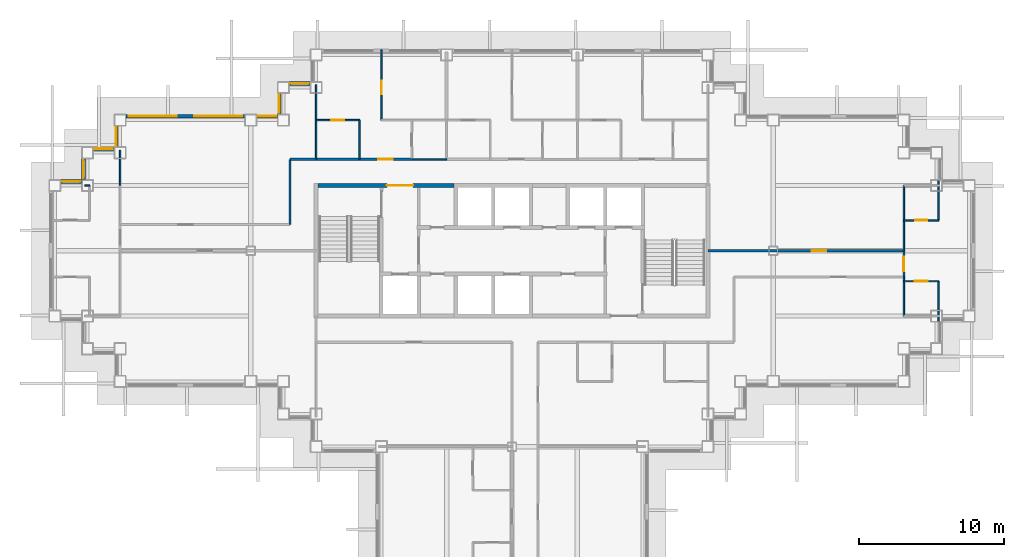
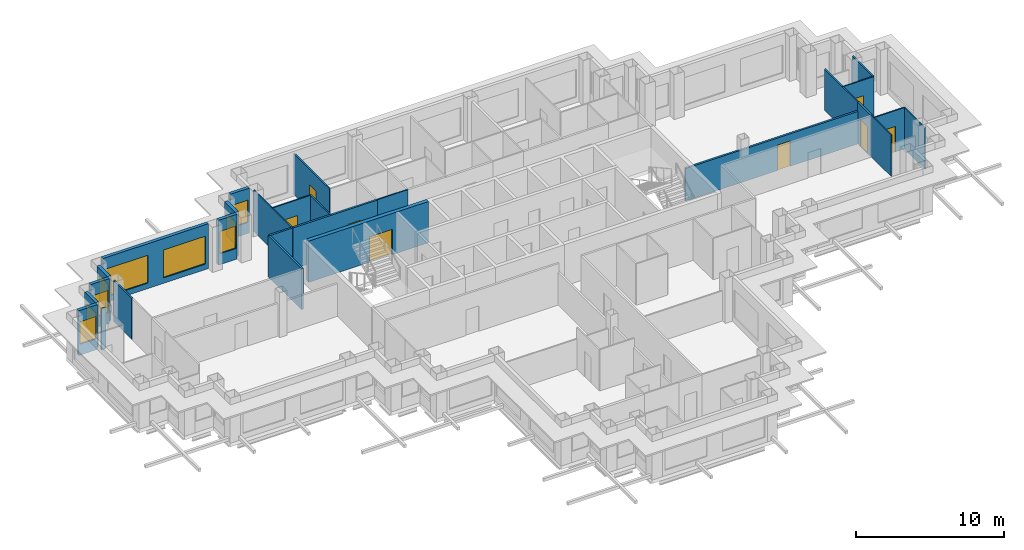
# One storey, part 7 of 14: 27 walls, 9 windows, 8 doors, 17 openings.
"""IFC4 building model written with IfcOpenShell, lengths in metres."""

import ifcopenshell
import ifcopenshell.guid

model = None  # the IFC model being written
_history = None  # IfcOwnerHistory: only IFC2X3 demands one
_inside = {}  # id of a spatial element -> (the spatial element, [elements in it])
_under = {}  # id of a project, library or spatial element -> (it, [spatial elements below it])
_declared = {}  # id of a project -> (the project, [libraries it declares])
_typed = {}  # id of a type object -> (the type object, [elements of that type])
_made_of = {}  # id of a material, layer set ... -> (it, [elements and type objects made of it])


def new_model(schema):
    """Start an empty IFC model of exactly this schema.

    Asked for "IFC4X3", IfcOpenShell would pick the latest addendum, in which some entities
    have other attributes; the version numbers below select the first issue.
    IFC2X3 requires an IfcOwnerHistory on every rooted entity: one is made here for all.
    """
    global model, _history
    if schema == "IFC4X3":
        model = ifcopenshell.file(schema_version=(4, 3, 0, 0))
    else:
        model = ifcopenshell.file(schema=schema)
    _inside.clear()
    _under.clear()
    _declared.clear()
    _typed.clear()
    _made_of.clear()
    _history = None
    if model.schema == "IFC2X3":
        org = make("IfcOrganization", Name="unknown")
        user = make(
            "IfcPersonAndOrganization",
            ThePerson=make("IfcPerson", FamilyName="unknown"),
            TheOrganization=org,
        )
        app = make(
            "IfcApplication",
            ApplicationDeveloper=org,
            Version="unknown",
            ApplicationFullName="unknown",
            ApplicationIdentifier="unknown",
        )
        _history = make(
            "IfcOwnerHistory",
            OwningUser=user,
            OwningApplication=app,
            ChangeAction="ADDED",
            CreationDate=0,
        )
    return model


def make(cls, **values):
    """One entity of the class cls with the attributes given. An attribute that is None is left unset."""
    return model.create_entity(
        cls, **{name: value for name, value in values.items() if value is not None}
    )


def rooted(cls, **values):
    """An entity with a GlobalId (a new one), such as an element, a storey or a relation."""
    return make(cls, GlobalId=ifcopenshell.guid.new(), OwnerHistory=_history, **values)


def si_unit(unit_type, name, prefix=None):
    """IfcSIUnit, for example si_unit("LENGTHUNIT", "METRE", prefix="MILLI")."""
    return make("IfcSIUnit", UnitType=unit_type, Prefix=prefix, Name=name)


def assignment(units):
    """IfcUnitAssignment: the units of a project."""
    return None if units is None else make("IfcUnitAssignment", Units=units)


def point(xyz):
    """IfcCartesianPoint."""
    return None if xyz is None else make("IfcCartesianPoint", Coordinates=xyz)


def direction(xyz):
    """IfcDirection."""
    return None if xyz is None else make("IfcDirection", DirectionRatios=xyz)


def frame(location, z_axis=None, x_axis=None):
    """IfcAxis2Placement3D, a coordinate frame: its origin and axes. An axis left out is left unset."""
    return make(
        "IfcAxis2Placement3D",
        Location=point(location),
        Axis=direction(z_axis),
        RefDirection=direction(x_axis),
    )


def frame_2d(location, x_axis=None):
    """IfcAxis2Placement2D, a coordinate frame in the plane: its origin and x axis."""
    return make(
        "IfcAxis2Placement2D", Location=point(location), RefDirection=direction(x_axis)
    )


def origin():
    """The frame at (0, 0, 0) with its axes left unset."""
    return frame((0.0, 0.0, 0.0))


def place(relative_to, where):
    """IfcLocalPlacement: puts the frame where relative to a parent placement (None: the world)."""
    return make(
        "IfcLocalPlacement", PlacementRelTo=relative_to, RelativePlacement=where
    )


def context(
    kind, dimensions, precision=None, world=None, true_north=None, identifier=None
):
    """IfcGeometricRepresentationContext, for example the 3D "Model" context."""
    return make(
        "IfcGeometricRepresentationContext",
        ContextIdentifier=identifier,
        ContextType=kind,
        CoordinateSpaceDimension=dimensions,
        Precision=precision,
        WorldCoordinateSystem=world,
        TrueNorth=true_north,
    )


def subcontext(parent, identifier, kind, view, scale=None):
    """IfcGeometricRepresentationSubContext, for example "Body" below "Model"."""
    return make(
        "IfcGeometricRepresentationSubContext",
        ContextIdentifier=identifier,
        ContextType=kind,
        ParentContext=parent,
        TargetScale=scale,
        TargetView=view,
    )


def project(units=None, contexts=None):
    """IfcProject with its units and contexts."""
    return rooted(
        "IfcProject",
        Name="project",
        RepresentationContexts=contexts,
        UnitsInContext=assignment(units),
    )


def spatial(cls, under=None, at=None, **own):
    """A site, building, storey or space (cls), placed at a placement, below another one or the project."""
    s = rooted(cls, ObjectPlacement=at, **own)
    if under is not None:
        _under.setdefault(under.id(), (under, []))[1].append(s)
    return s


def profile(cls, at=None, kind="AREA", **sizes):
    """A parametric profile (cls). Its sizes go by their IFC names, for example OverallWidth=200.0."""
    return make(cls, ProfileType=kind, Position=at, **sizes)


def rectangle(**sizes):
    """IfcRectangleProfileDef."""
    return profile("IfcRectangleProfileDef", **sizes)


def extrude(swept, where, along, depth):
    """IfcExtrudedAreaSolid: the profile swept, set in the frame where, extruded along a direction by depth."""
    return make(
        "IfcExtrudedAreaSolid",
        SweptArea=swept,
        Position=where,
        ExtrudedDirection=direction(along),
        Depth=depth,
    )


def shape(context_of_items, identifier, shape_type, items):
    """IfcShapeRepresentation: the items that make up one representation, for example the "Body"."""
    return make(
        "IfcShapeRepresentation",
        ContextOfItems=context_of_items,
        RepresentationIdentifier=identifier,
        RepresentationType=shape_type,
        Items=items,
    )


def material(Name=None, Category=None):
    """IfcMaterial."""
    return make("IfcMaterial", Name=Name, Category=Category)


def layer(
    of_material, thickness, ventilated=None, Name=None, Category=None, Priority=None
):
    """IfcMaterialLayer: one layer of a wall or slab, of a material (None: an air gap)."""
    return make(
        "IfcMaterialLayer",
        Material=of_material,
        LayerThickness=thickness,
        IsVentilated=ventilated,
        Name=Name,
        Category=Category,
        Priority=Priority,
    )


def layer_set(layers, Name=None):
    """IfcMaterialLayerSet."""
    return make("IfcMaterialLayerSet", MaterialLayers=layers, LayerSetName=Name)


def made_of(thing, what):
    """Note that an element or type object is made of a material, layer set ...; save() writes the relation."""
    if what is not None:
        _made_of.setdefault(what.id(), (what, []))[1].append(thing)
    return thing


def type_object(cls, material=None, **own):
    """A type object (cls), such as IfcWallType, which elements share."""
    return made_of(rooted(cls, **own), material)


def element(
    cls,
    number,
    at=None,
    inside=None,
    cuts=None,
    type_object=None,
    material=None,
    context=None,
    identifier="Body",
    shape_type=None,
    held_by="IfcProductDefinitionShape",
    body=None,
    shapes=None,
    **own,
):
    """One element of the class cls, such as IfcWall. Its Tag is "e" and its number.

    at: its placement. inside: the storey or other place that contains it. cuts: it is an
    opening in that element (IfcRelVoidsElement). A single representation is given by context,
    identifier, shape_type and body (its items); several are given by shapes. held_by: the class
    of the entity that holds the representations. save() writes the other relations.
    """
    e = rooted(cls, Tag="e%d" % number, ObjectPlacement=at, **own)
    if body is not None:
        shapes = [shape(context, identifier, shape_type, body)]
    if shapes is not None:
        e.Representation = make(held_by, Representations=shapes)
    if inside is not None:
        _inside.setdefault(inside.id(), (inside, []))[1].append(e)
    if cuts is not None:
        rooted(
            "IfcRelVoidsElement", RelatingBuildingElement=cuts, RelatedOpeningElement=e
        )
    if type_object is not None:
        _typed.setdefault(type_object.id(), (type_object, []))[1].append(e)
    return made_of(e, material)


def fill(opening, filler):
    """IfcRelFillsElement: the door or window that sits in an opening."""
    return rooted(
        "IfcRelFillsElement",
        RelatingOpeningElement=opening,
        RelatedBuildingElement=filler,
    )


def aggregate(whole, parts):
    """IfcRelAggregates: a whole, such as a stair, and the parts it consists of."""
    return rooted("IfcRelAggregates", RelatingObject=whole, RelatedObjects=parts)


def save(model, path):
    """Write the relations noted so far, then the file.

    IfcRelAggregates (storeys below a building ...), IfcRelContainedInSpatialStructure (elements
    in a storey), IfcRelDefinesByType, IfcRelAssociatesMaterial and IfcRelDeclares: one each for
    every whole, place, type object, material and project.
    """
    for whole, parts in _under.values():
        aggregate(whole, parts)
    for where, things in _inside.values():
        rooted(
            "IfcRelContainedInSpatialStructure",
            RelatedElements=things,
            RelatingStructure=where,
        )
    for kind, things in _typed.values():
        rooted("IfcRelDefinesByType", RelatedObjects=things, RelatingType=kind)
    for what, things in _made_of.values():
        rooted("IfcRelAssociatesMaterial", RelatedObjects=things, RelatingMaterial=what)
    for by, libraries in _declared.values():
        rooted("IfcRelDeclares", RelatingContext=by, RelatedDefinitions=libraries)
    model.write(path)


model = new_model("IFC4")

# Units and contexts
model_context = context("Model", 3, precision=1e-05, world=origin(), true_north=direction((0.0, 1.0)))
body_context = subcontext(model_context, "Body", "Model", "MODEL_VIEW")
ifc_project = project(units=[si_unit("LENGTHUNIT", "METRE"), si_unit("AREAUNIT", "SQUARE_METRE"), si_unit("VOLUMEUNIT", "CUBIC_METRE"), si_unit("PLANEANGLEUNIT", "RADIAN"), si_unit("MASSUNIT", "GRAM", prefix="KILO")], contexts=[model_context])

# Site, building, storey
site_placement = place(None, origin())
site = spatial("IfcSite", under=ifc_project, at=site_placement, CompositionType="ELEMENT")
building_placement = place(site_placement, origin())
building = spatial("IfcBuilding", under=site, at=building_placement, Name="Caravel Reach Hotel and Residences", CompositionType="ELEMENT")
storey_placement = place(building_placement, frame((0.0, 0.0, 161.699951171875)))
storey = spatial("IfcBuildingStorey", under=building, at=storey_placement, Name="L40", CompositionType="ELEMENT", Elevation=161.699951171875)

# Wall, opening, door
ifc_material_1 = material(Name="Gypsum board on steel stud", Category="steel")
ifc_layer_1 = layer(ifc_material_1, 0.10009765625)
ifc_layer_set_1 = layer_set([ifc_layer_1], Name="Bathroom pod wall 100 mm")
wall_type_1 = type_object("IfcWallType", Name="Bathroom pod wall 100 mm", PredefinedType="PARTITIONING", material=ifc_layer_set_1)
wall_1_placement = place(storey_placement, frame((58.5, 29.10009765625, 0.0), z_axis=(0.0, 0.0, 1.0), x_axis=(1.0, 0.0, 0.0)))
wall_1 = element("IfcWall", 1, at=wall_1_placement, inside=storey, type_object=wall_type_1, Name="L40 wall w082", PredefinedType="PARTITIONING", context=body_context, shape_type="SweptSolid", body=[
    extrude(rectangle(XDim=2.39990234375, YDim=0.10009765625, at=frame_2d((1.199951171875, 0.0))), origin(), (0.0, 0.0, 1.0), 3.400146484375),
])
opening_1_placement = place(wall_1_placement, frame((0.800048828125, 0.0, 0.0)))
opening_1 = element("IfcOpeningElement", 2, at=opening_1_placement, cuts=wall_1, Name="Opening D40-044", PredefinedType="OPENING", context=body_context, shape_type="SweptSolid", body=[
    extrude(rectangle(XDim=0.800048828125, YDim=2.10009765625, at=frame_2d((0.39990234375, 1.050048828125))), frame((0.0, 0.06005859375, 0.0), z_axis=(0.0, -1.0, 0.0), x_axis=(1.0, 0.0, 0.0)), (0.0, 0.0, 1.0), 0.1201171875),
])
ifc_material_2 = material(Name="Timber and steel door leaf", Category="steel")
door_type_1 = type_object("IfcDoorType", Name="Bathroom door 800 x 2100", OperationType="SINGLE_SWING_LEFT", PredefinedType="DOOR", material=ifc_material_2)
door_1_placement = place(opening_1_placement, origin())
door_1 = element("IfcDoor", 3, at=door_1_placement, inside=storey, type_object=door_type_1, Name="door D40-044", OperationType="SINGLE_SWING_RIGHT", OverallHeight=2.10009765625, OverallWidth=0.800048828125, PredefinedType="DOOR", context=body_context, shape_type="SweptSolid", body=[
    extrude(rectangle(XDim=0.800048828125, YDim=2.10009765625, at=frame_2d((0.39990234375, 1.050048828125))), frame((0.0, 0.02490234375, 0.0), z_axis=(0.0, -1.0, 0.0), x_axis=(1.0, 0.0, 0.0)), (0.0, 0.0, 1.0), 0.050048828125),
])
fill(opening_1, door_1)

# Walls
wall_2_placement = place(storey_placement, frame((24.60009765625, 33.300048828125, 0.0), z_axis=(0.0, 0.0, 1.0), x_axis=(1.0, 0.0, 0.0)))
element("IfcWall", 4, at=wall_2_placement, inside=storey, type_object=wall_type_1, Name="L40 wall w083", PredefinedType="PARTITIONING", context=body_context, shape_type="SweptSolid", body=[
    extrude(rectangle(XDim=2.39990234375, YDim=0.10009765625, at=frame_2d((1.199951171875, 0.0))), origin(), (0.0, 0.0, 1.0), 3.400146484375),
])
wall_3_placement = place(storey_placement, frame((60.89990234375, 29.10009765625, 0.0), z_axis=(0.0, 0.0, 1.0), x_axis=(0.0, 1.0, 0.0)))
element("IfcWall", 5, at=wall_3_placement, inside=storey, type_object=wall_type_1, Name="L40 wall w104", PredefinedType="PARTITIONING", context=body_context, shape_type="SweptSolid", body=[
    extrude(rectangle(XDim=2.7998046875, YDim=0.10009765625, at=frame_2d((1.39990234375, 0.0))), origin(), (0.0, 0.0, 1.0), 3.400146484375),
])

# Wall, opening, door
ifc_material_3 = material(Name="Concrete C60", Category="concrete")
ifc_layer_2 = layer(ifc_material_3, 0.300048828125)
ifc_layer_set_2 = layer_set([ifc_layer_2], Name="Core wall 300 mm EI 120")
wall_type_2 = type_object("IfcWallType", Name="Core wall 300 mm EI 120", PredefinedType="SHEAR", material=ifc_layer_set_2)
wall_4_placement = place(storey_placement, frame((18.14990234375, 31.5, 0.0), z_axis=(0.0, 0.0, 1.0), x_axis=(1.0, 0.0, 0.0)))
wall_4 = element("IfcWall", 6, at=wall_4_placement, inside=storey, type_object=wall_type_2, Name="L40 core wall N1", PredefinedType="SHEAR", context=body_context, shape_type="SweptSolid", body=[
    extrude(rectangle(XDim=9.367919921875, YDim=0.300048828125, at=frame_2d((4.68408203125, 0.0))), origin(), (0.0, 0.0, 1.0), 3.400146484375),
])
opening_2_placement = place(wall_4_placement, frame((4.735595703125, 0.0, 0.0)))
opening_2 = element("IfcOpeningElement", 7, at=opening_2_placement, cuts=wall_4, Name="Opening D40-014", PredefinedType="OPENING", context=body_context, shape_type="SweptSolid", body=[
    extrude(rectangle(XDim=1.800048828125, YDim=2.10009765625, at=frame_2d((0.89990234375, 1.050048828125))), frame((0.0, 0.159912109375, 0.0), z_axis=(0.0, -1.0, 0.0), x_axis=(1.0, 0.0, 0.0)), (0.0, 0.0, 1.0), 0.320068359375),
])
ifc_material_4 = material(Name="Steel fire door leaf", Category="steel")
door_type_2 = type_object("IfcDoorType", Name="Fire lobby door pair 1800 x 2100 EI 90", OperationType="DOUBLE_DOOR_SINGLE_SWING", PredefinedType="DOOR", material=ifc_material_4)
door_2_placement = place(opening_2_placement, origin())
door_2 = element("IfcDoor", 8, at=door_2_placement, inside=storey, type_object=door_type_2, Name="lobby N door pair to corridor", OperationType="DOUBLE_DOOR_SINGLE_SWING", OverallHeight=2.10009765625, OverallWidth=1.800048828125, PredefinedType="DOOR", context=body_context, shape_type="SweptSolid", body=[
    extrude(rectangle(XDim=1.800048828125, YDim=2.10009765625, at=frame_2d((0.89990234375, 1.050048828125))), frame((0.0, 0.02490234375, 0.0), z_axis=(0.0, -1.0, 0.0), x_axis=(1.0, 0.0, 0.0)), (0.0, 0.0, 1.0), 0.050048828125),
])
fill(opening_2, door_2)

ifc_material_5 = material(Name="Gypsum board on steel stud, fire-rated", Category="steel")
ifc_layer_3 = layer(ifc_material_5, 0.14990234375)
ifc_layer_set_3 = layer_set([ifc_layer_3], Name="Corridor wall 150 mm EI 60")
wall_type_3 = type_object("IfcWallType", Name="Corridor wall 150 mm EI 60", PredefinedType="PARTITIONING", material=ifc_layer_set_3)
wall_5_placement = place(storey_placement, frame((45.0, 27.0, 0.0), z_axis=(0.0, 0.0, 1.0), x_axis=(1.0, 0.0, 0.0)))
wall_5 = element("IfcWall", 9, at=wall_5_placement, inside=storey, type_object=wall_type_3, Name="L40 wall w009", PredefinedType="PARTITIONING", context=body_context, shape_type="SweptSolid", body=[
    extrude(rectangle(XDim=13.5, YDim=0.14990234375, at=frame_2d((6.75, 0.0))), origin(), (0.0, 0.0, 1.0), 2.679931640625),
])
opening_3_placement = place(wall_5_placement, frame((7.14990234375, 0.0, 0.0)))
opening_3 = element("IfcOpeningElement", 10, at=opening_3_placement, cuts=wall_5, Name="Opening D40-030", PredefinedType="OPENING", context=body_context, shape_type="SweptSolid", body=[
    extrude(rectangle(XDim=1.0, YDim=2.10009765625, at=frame_2d((0.5, 1.050048828125))), frame((0.0, 0.0849609375, 0.0), z_axis=(0.0, -1.0, 0.0), x_axis=(1.0, 0.0, 0.0)), (0.0, 0.0, 1.0), 0.169921875),
])
ifc_material_6 = material(Name="Steel fire door leaf", Category="steel")
door_type_3 = type_object("IfcDoorType", Name="Fire door 1000 x 2100 EI 60", OperationType="SINGLE_SWING_LEFT", PredefinedType="DOOR", material=ifc_material_6)
door_3_placement = place(opening_3_placement, origin())
door_3 = element("IfcDoor", 11, at=door_3_placement, inside=storey, type_object=door_type_3, Name="door D40-030", OperationType="SINGLE_SWING_RIGHT", OverallHeight=2.10009765625, OverallWidth=1.0, PredefinedType="DOOR", context=body_context, shape_type="SweptSolid", body=[
    extrude(rectangle(XDim=1.0, YDim=2.10009765625, at=frame_2d((0.5, 1.050048828125))), frame((0.0, 0.02490234375, 0.0), z_axis=(0.0, -1.0, 0.0), x_axis=(1.0, 0.0, 0.0)), (0.0, 0.0, 1.0), 0.050048828125),
])
fill(opening_3, door_3)

wall_6_placement = place(storey_placement, frame((18.0, 33.300048828125, 0.0), z_axis=(0.0, 0.0, 1.0), x_axis=(1.0, 0.0, 0.0)))
wall_6 = element("IfcWall", 12, at=wall_6_placement, inside=storey, type_object=wall_type_3, Name="L40 wall w013", PredefinedType="PARTITIONING", context=body_context, shape_type="SweptSolid", body=[
    extrude(rectangle(XDim=6.60009765625, YDim=0.14990234375, at=frame_2d((3.300048828125, 0.0))), origin(), (0.0, 0.0, 1.0), 3.400146484375),
])
opening_4_placement = place(wall_6_placement, frame((4.300048828125, 0.0, 0.0)))
opening_4 = element("IfcOpeningElement", 13, at=opening_4_placement, cuts=wall_6, Name="Opening D40-016", PredefinedType="OPENING", context=body_context, shape_type="SweptSolid", body=[
    extrude(rectangle(XDim=1.0, YDim=2.199951171875, at=frame_2d((0.5, 1.10009765625))), frame((0.0, 0.0849609375, 0.0), z_axis=(0.0, -1.0, 0.0), x_axis=(1.0, 0.0, 0.0)), (0.0, 0.0, 1.0), 0.169921875),
])
ifc_material_7 = material(Name="Steel fire door leaf", Category="steel")
door_type_4 = type_object("IfcDoorType", Name="Flat entrance door 1000 x 2200 EI 60", OperationType="SINGLE_SWING_LEFT", PredefinedType="DOOR", material=ifc_material_7)
door_4_placement = place(opening_4_placement, origin())
door_4 = element("IfcDoor", 14, at=door_4_placement, inside=storey, type_object=door_type_4, Name="door D40-016", OperationType="SINGLE_SWING_RIGHT", OverallHeight=2.199951171875, OverallWidth=1.0, PredefinedType="DOOR", context=body_context, shape_type="SweptSolid", body=[
    extrude(rectangle(XDim=1.0, YDim=2.199951171875, at=frame_2d((0.5, 1.10009765625))), frame((0.0, 0.02490234375, 0.0), z_axis=(0.0, -1.0, 0.0), x_axis=(1.0, 0.0, 0.0)), (0.0, 0.0, 1.0), 0.050048828125),
])
fill(opening_4, door_4)

# Walls
wall_7_placement = place(storey_placement, frame((16.199951171875, 33.300048828125, 0.0), z_axis=(0.0, 0.0, 1.0), x_axis=(1.0, 0.0, 0.0)))
element("IfcWall", 15, at=wall_7_placement, inside=storey, type_object=wall_type_3, Name="L40 wall w018", PredefinedType="PARTITIONING", context=body_context, shape_type="SweptSolid", body=[
    extrude(rectangle(XDim=1.799072265625, YDim=0.14990234375, at=frame_2d((0.8994140625, 0.0))), origin(), (0.0, 0.0, 1.0), 3.400146484375),
])
wall_8_placement = place(storey_placement, frame((16.199951171875, 28.801025390625, 0.0), z_axis=(0.0, 0.0, 1.0), x_axis=(0.0, 1.0, 0.0)))
element("IfcWall", 16, at=wall_8_placement, inside=storey, type_object=wall_type_3, Name="L40 wall w020", PredefinedType="PARTITIONING", context=body_context, shape_type="SweptSolid", body=[
    extrude(rectangle(XDim=4.4990234375, YDim=0.14990234375, at=frame_2d((2.24951171875, 0.0))), origin(), (0.0, 0.0, 1.0), 3.400146484375),
])

# Wall, opening, door
wall_9_placement = place(storey_placement, frame((58.5, 25.199951171875, 0.0), z_axis=(0.0, 0.0, 1.0), x_axis=(0.0, 1.0, 0.0)))
wall_9 = element("IfcWall", 17, at=wall_9_placement, inside=storey, type_object=wall_type_3, Name="L40 wall w030", PredefinedType="PARTITIONING", context=body_context, shape_type="SweptSolid", body=[
    extrude(rectangle(XDim=1.800048828125, YDim=0.14990234375, at=frame_2d((0.89990234375, 0.0))), origin(), (0.0, 0.0, 1.0), 3.400146484375),
])
opening_5_placement = place(wall_9_placement, frame((0.39990234375, 0.0, 0.0)))
opening_5 = element("IfcOpeningElement", 18, at=opening_5_placement, cuts=wall_9, Name="Opening D40-043", PredefinedType="OPENING", context=body_context, shape_type="SweptSolid", body=[
    extrude(rectangle(XDim=1.0, YDim=2.199951171875, at=frame_2d((0.5, 1.10009765625))), frame((0.0, 0.0849609375, 0.0), z_axis=(0.0, -1.0, 0.0), x_axis=(1.0, 0.0, 0.0)), (0.0, 0.0, 1.0), 0.169921875),
])
door_5_placement = place(opening_5_placement, origin())
door_5 = element("IfcDoor", 19, at=door_5_placement, inside=storey, type_object=door_type_4, Name="door D40-043", OperationType="SINGLE_SWING_RIGHT", OverallHeight=2.199951171875, OverallWidth=1.0, PredefinedType="DOOR", context=body_context, shape_type="SweptSolid", body=[
    extrude(rectangle(XDim=1.0, YDim=2.199951171875, at=frame_2d((0.5, 1.10009765625))), frame((0.0, 0.02490234375, 0.0), z_axis=(0.0, -1.0, 0.0), x_axis=(1.0, 0.0, 0.0)), (0.0, 0.0, 1.0), 0.050048828125),
])
fill(opening_5, door_5)

# Wall, opening, window
ifc_material_8 = material(Name="Insulated rainscreen wall, aluminium cladding", Category="aluminium")
ifc_layer_4 = layer(ifc_material_8, 0.25)
ifc_layer_set_4 = layer_set([ifc_layer_4], Name="EW1 Tower rainscreen wall")
wall_type_4 = type_object("IfcWallType", Name="EW1 Tower rainscreen wall", PredefinedType="SOLIDWALL", material=ifc_layer_set_4)
wall_10_placement = place(storey_placement, frame((17.60009765625, 38.52490234375, 0.0), z_axis=(0.0, 0.0, 1.0), x_axis=(-1.0, 0.0, 0.0)))
wall_10 = element("IfcWall", 20, at=wall_10_placement, inside=storey, type_object=wall_type_4, Name="External wall L40 N31.1", PredefinedType="SOLIDWALL", context=body_context, shape_type="SweptSolid", body=[
    extrude(rectangle(XDim=1.4501953125, YDim=0.25, at=frame_2d((0.72509765625, 0.0))), origin(), (0.0, 0.0, 1.0), 3.699951171875),
])
opening_6_placement = place(wall_10_placement, frame((0.10009765625, 0.0, 0.89990234375)))
opening_6 = element("IfcOpeningElement", 21, at=opening_6_placement, cuts=wall_10, Name="Opening WN13", PredefinedType="OPENING", context=body_context, shape_type="SweptSolid", body=[
    extrude(rectangle(XDim=1.25, YDim=1.85009765625, at=frame_2d((0.625, 0.925048828125))), frame((0.0, 0.135009765625, 0.0), z_axis=(0.0, -1.0, 0.0), x_axis=(1.0, 0.0, 0.0)), (0.0, 0.0, 1.0), 0.27001953125),
])
ifc_material_9 = material(Name="Dark low-e glazing in black aluminium frame", Category="aluminium")
window_type_1 = type_object("IfcWindowType", Name="Residence bedroom window 1250 x 1850", PartitioningType="SINGLE_PANEL", PredefinedType="WINDOW", material=ifc_material_9)
window_1_placement = place(opening_6_placement, origin())
window_1 = element("IfcWindow", 22, at=window_1_placement, inside=storey, type_object=window_type_1, Name="Window L40 N31.1.1", OverallHeight=1.85009765625, OverallWidth=1.25, PartitioningType="SINGLE_PANEL", PredefinedType="WINDOW", context=body_context, shape_type="SweptSolid", body=[
    extrude(rectangle(XDim=1.25, YDim=1.85009765625, at=frame_2d((0.625, 0.925048828125))), frame((0.0, 0.030029296875, 0.0), z_axis=(0.0, -1.0, 0.0), x_axis=(1.0, 0.0, 0.0)), (0.0, 0.0, 1.0), 0.06005859375),
])
fill(opening_6, window_1)

wall_11_placement = place(storey_placement, frame((15.47509765625, 37.85009765625, 0.0), z_axis=(0.0, 0.0, 1.0), x_axis=(0.0, -1.0, 0.0)))
wall_11 = element("IfcWall", 23, at=wall_11_placement, inside=storey, type_object=wall_type_4, Name="External wall L40 W32.1", PredefinedType="SOLIDWALL", context=body_context, shape_type="SweptSolid", body=[
    extrude(rectangle(XDim=1.4501953125, YDim=0.25, at=frame_2d((0.72509765625, 0.0))), origin(), (0.0, 0.0, 1.0), 3.699951171875),
])
opening_7_placement = place(wall_11_placement, frame((0.10009765625, 0.0, 0.89990234375)))
opening_7 = element("IfcOpeningElement", 24, at=opening_7_placement, cuts=wall_11, Name="Opening WN13", PredefinedType="OPENING", context=body_context, shape_type="SweptSolid", body=[
    extrude(rectangle(XDim=1.25, YDim=1.85009765625, at=frame_2d((0.625, 0.925048828125))), frame((0.0, 0.135009765625, 0.0), z_axis=(0.0, -1.0, 0.0), x_axis=(1.0, 0.0, 0.0)), (0.0, 0.0, 1.0), 0.27001953125),
])
window_2_placement = place(opening_7_placement, origin())
window_2 = element("IfcWindow", 25, at=window_2_placement, inside=storey, type_object=window_type_1, Name="Window L40 W32.1.1", OverallHeight=1.85009765625, OverallWidth=1.25, PartitioningType="SINGLE_PANEL", PredefinedType="WINDOW", context=body_context, shape_type="SweptSolid", body=[
    extrude(rectangle(XDim=1.25, YDim=1.85009765625, at=frame_2d((0.625, 0.925048828125))), frame((0.0, 0.030029296875, 0.0), z_axis=(0.0, -1.0, 0.0), x_axis=(1.0, 0.0, 0.0)), (0.0, 0.0, 1.0), 0.06005859375),
])
fill(opening_7, window_2)

wall_12_placement = place(storey_placement, frame((15.35009765625, 36.27490234375, 0.0), z_axis=(0.0, 0.0, 1.0), x_axis=(-1.0, 0.0, 0.0)))
wall_12 = element("IfcWall", 26, at=wall_12_placement, inside=storey, type_object=wall_type_4, Name="External wall L40 N33.1", PredefinedType="SOLIDWALL", context=body_context, shape_type="SweptSolid", body=[
    extrude(rectangle(XDim=1.4501953125, YDim=0.25, at=frame_2d((0.72509765625, 0.0))), origin(), (0.0, 0.0, 1.0), 3.699951171875),
])
opening_8_placement = place(wall_12_placement, frame((0.10009765625, 0.0, 0.89990234375)))
opening_8 = element("IfcOpeningElement", 27, at=opening_8_placement, cuts=wall_12, Name="Opening WN13", PredefinedType="OPENING", context=body_context, shape_type="SweptSolid", body=[
    extrude(rectangle(XDim=1.25, YDim=1.85009765625, at=frame_2d((0.625, 0.925048828125))), frame((0.0, 0.135009765625, 0.0), z_axis=(0.0, -1.0, 0.0), x_axis=(1.0, 0.0, 0.0)), (0.0, 0.0, 1.0), 0.27001953125),
])
window_3_placement = place(opening_8_placement, origin())
window_3 = element("IfcWindow", 28, at=window_3_placement, inside=storey, type_object=window_type_1, Name="Window L40 N33.1.1", OverallHeight=1.85009765625, OverallWidth=1.25, PartitioningType="SINGLE_PANEL", PredefinedType="WINDOW", context=body_context, shape_type="SweptSolid", body=[
    extrude(rectangle(XDim=1.25, YDim=1.85009765625, at=frame_2d((0.625, 0.925048828125))), frame((0.0, 0.030029296875, 0.0), z_axis=(0.0, -1.0, 0.0), x_axis=(1.0, 0.0, 0.0)), (0.0, 0.0, 1.0), 0.06005859375),
])
fill(opening_8, window_3)

# Wall, openings, windows
wall_13_placement = place(storey_placement, frame((13.10009765625, 36.27490234375, 0.0), z_axis=(0.0, 0.0, 1.0), x_axis=(-1.0, 0.0, 0.0)))
wall_13 = element("IfcWall", 29, at=wall_13_placement, inside=storey, type_object=wall_type_4, Name="External wall L40 N33.2", PredefinedType="SOLIDWALL", context=body_context, shape_type="SweptSolid", body=[
    extrude(rectangle(XDim=8.2001953125, YDim=0.25, at=frame_2d((4.10009765625, 0.0))), origin(), (0.0, 0.0, 1.0), 3.699951171875),
])
opening_9_placement = place(wall_13_placement, frame((0.199951171875, 0.0, 0.449951171875)))
opening_9 = element("IfcOpeningElement", 30, at=opening_9_placement, cuts=wall_13, Name="Opening WN15", PredefinedType="OPENING", context=body_context, shape_type="SweptSolid", body=[
    extrude(rectangle(XDim=3.300048828125, YDim=2.300048828125, at=frame_2d((1.64990234375, 1.14990234375))), frame((0.0, 0.135009765625, 0.0), z_axis=(0.0, -1.0, 0.0), x_axis=(1.0, 0.0, 0.0)), (0.0, 0.0, 1.0), 0.27001953125),
])
opening_10_placement = place(wall_13_placement, frame((4.699951171875, 0.0, 0.449951171875)))
opening_10 = element("IfcOpeningElement", 31, at=opening_10_placement, cuts=wall_13, Name="Opening WN15", PredefinedType="OPENING", context=body_context, shape_type="SweptSolid", body=[
    extrude(rectangle(XDim=3.300048828125, YDim=2.300048828125, at=frame_2d((1.64990234375, 1.14990234375))), frame((0.0, 0.135009765625, 0.0), z_axis=(0.0, -1.0, 0.0), x_axis=(1.0, 0.0, 0.0)), (0.0, 0.0, 1.0), 0.27001953125),
])
ifc_material_10 = material(Name="Dark low-e glazing in black aluminium frame", Category="aluminium")
window_type_2 = type_object("IfcWindowType", Name="Residence living window 3300 x 2300", PartitioningType="SINGLE_PANEL", PredefinedType="WINDOW", material=ifc_material_10)
window_4_placement = place(opening_9_placement, origin())
window_4 = element("IfcWindow", 32, at=window_4_placement, inside=storey, type_object=window_type_2, Name="Window L40 N33.2.1", OverallHeight=2.300048828125, OverallWidth=3.300048828125, PartitioningType="SINGLE_PANEL", PredefinedType="WINDOW", context=body_context, shape_type="SweptSolid", body=[
    extrude(rectangle(XDim=3.300048828125, YDim=2.300048828125, at=frame_2d((1.64990234375, 1.14990234375))), frame((0.0, 0.030029296875, 0.0), z_axis=(0.0, -1.0, 0.0), x_axis=(1.0, 0.0, 0.0)), (0.0, 0.0, 1.0), 0.06005859375),
])
fill(opening_9, window_4)
window_5_placement = place(opening_10_placement, origin())
window_5 = element("IfcWindow", 33, at=window_5_placement, inside=storey, type_object=window_type_2, Name="Window L40 N33.2.2", OverallHeight=2.300048828125, OverallWidth=3.300048828125, PartitioningType="SINGLE_PANEL", PredefinedType="WINDOW", context=body_context, shape_type="SweptSolid", body=[
    extrude(rectangle(XDim=3.300048828125, YDim=2.300048828125, at=frame_2d((1.64990234375, 1.14990234375))), frame((0.0, 0.030029296875, 0.0), z_axis=(0.0, -1.0, 0.0), x_axis=(1.0, 0.0, 0.0)), (0.0, 0.0, 1.0), 0.06005859375),
])
fill(opening_10, window_5)

# Wall, opening, window
wall_14_placement = place(storey_placement, frame((4.22509765625, 35.60009765625, 0.0), z_axis=(0.0, 0.0, 1.0), x_axis=(0.0, -1.0, 0.0)))
wall_14 = element("IfcWall", 34, at=wall_14_placement, inside=storey, type_object=wall_type_4, Name="External wall L40 W34.1", PredefinedType="SOLIDWALL", context=body_context, shape_type="SweptSolid", body=[
    extrude(rectangle(XDim=1.4501953125, YDim=0.25, at=frame_2d((0.72509765625, 0.0))), origin(), (0.0, 0.0, 1.0), 3.699951171875),
])
opening_11_placement = place(wall_14_placement, frame((0.10009765625, 0.0, 0.89990234375)))
opening_11 = element("IfcOpeningElement", 35, at=opening_11_placement, cuts=wall_14, Name="Opening WN12", PredefinedType="OPENING", context=body_context, shape_type="SweptSolid", body=[
    extrude(rectangle(XDim=1.25, YDim=2.080078125, at=frame_2d((0.625, 1.0400390625))), frame((0.0, 0.135009765625, 0.0), z_axis=(0.0, -1.0, 0.0), x_axis=(1.0, 0.0, 0.0)), (0.0, 0.0, 1.0), 0.27001953125),
])
ifc_material_11 = material(Name="Dark low-e glazing in black aluminium frame", Category="aluminium")
window_type_3 = type_object("IfcWindowType", Name="Residence bedroom window 1250 x 2080", PartitioningType="SINGLE_PANEL", PredefinedType="WINDOW", material=ifc_material_11)
window_6_placement = place(opening_11_placement, origin())
window_6 = element("IfcWindow", 36, at=window_6_placement, inside=storey, type_object=window_type_3, Name="Window L40 W34.1.1", OverallHeight=2.080078125, OverallWidth=1.25, PartitioningType="SINGLE_PANEL", PredefinedType="WINDOW", context=body_context, shape_type="SweptSolid", body=[
    extrude(rectangle(XDim=1.25, YDim=2.080078125, at=frame_2d((0.625, 1.0400390625))), frame((0.0, 0.030029296875, 0.0), z_axis=(0.0, -1.0, 0.0), x_axis=(1.0, 0.0, 0.0)), (0.0, 0.0, 1.0), 0.06005859375),
])
fill(opening_11, window_6)

wall_15_placement = place(storey_placement, frame((4.10009765625, 34.02490234375, 0.0), z_axis=(0.0, 0.0, 1.0), x_axis=(-1.0, 0.0, 0.0)))
wall_15 = element("IfcWall", 37, at=wall_15_placement, inside=storey, type_object=wall_type_4, Name="External wall L40 N35.1", PredefinedType="SOLIDWALL", context=body_context, shape_type="SweptSolid", body=[
    extrude(rectangle(XDim=1.4501953125, YDim=0.25, at=frame_2d((0.72509765625, 0.0))), origin(), (0.0, 0.0, 1.0), 3.699951171875),
])
opening_12_placement = place(wall_15_placement, frame((0.10009765625, 0.0, 0.89990234375)))
opening_12 = element("IfcOpeningElement", 38, at=opening_12_placement, cuts=wall_15, Name="Opening WN13", PredefinedType="OPENING", context=body_context, shape_type="SweptSolid", body=[
    extrude(rectangle(XDim=1.25, YDim=1.85009765625, at=frame_2d((0.625, 0.925048828125))), frame((0.0, 0.135009765625, 0.0), z_axis=(0.0, -1.0, 0.0), x_axis=(1.0, 0.0, 0.0)), (0.0, 0.0, 1.0), 0.27001953125),
])
window_7_placement = place(opening_12_placement, origin())
window_7 = element("IfcWindow", 39, at=window_7_placement, inside=storey, type_object=window_type_1, Name="Window L40 N35.1.1", OverallHeight=1.85009765625, OverallWidth=1.25, PartitioningType="SINGLE_PANEL", PredefinedType="WINDOW", context=body_context, shape_type="SweptSolid", body=[
    extrude(rectangle(XDim=1.25, YDim=1.85009765625, at=frame_2d((0.625, 0.925048828125))), frame((0.0, 0.030029296875, 0.0), z_axis=(0.0, -1.0, 0.0), x_axis=(1.0, 0.0, 0.0)), (0.0, 0.0, 1.0), 0.06005859375),
])
fill(opening_12, window_7)

wall_16_placement = place(storey_placement, frame((1.97509765625, 33.35009765625, 0.0), z_axis=(0.0, 0.0, 1.0), x_axis=(0.0, -1.0, 0.0)))
wall_16 = element("IfcWall", 40, at=wall_16_placement, inside=storey, type_object=wall_type_4, Name="External wall L40 W36.1", PredefinedType="SOLIDWALL", context=body_context, shape_type="SweptSolid", body=[
    extrude(rectangle(XDim=1.4501953125, YDim=0.25, at=frame_2d((0.72509765625, 0.0))), origin(), (0.0, 0.0, 1.0), 3.699951171875),
])
opening_13_placement = place(wall_16_placement, frame((0.10009765625, 0.0, 0.89990234375)))
opening_13 = element("IfcOpeningElement", 41, at=opening_13_placement, cuts=wall_16, Name="Opening WN13", PredefinedType="OPENING", context=body_context, shape_type="SweptSolid", body=[
    extrude(rectangle(XDim=1.25, YDim=1.85009765625, at=frame_2d((0.625, 0.925048828125))), frame((0.0, 0.135009765625, 0.0), z_axis=(0.0, -1.0, 0.0), x_axis=(1.0, 0.0, 0.0)), (0.0, 0.0, 1.0), 0.27001953125),
])
window_8_placement = place(opening_13_placement, origin())
window_8 = element("IfcWindow", 42, at=window_8_placement, inside=storey, type_object=window_type_1, Name="Window L40 W36.1.1", OverallHeight=1.85009765625, OverallWidth=1.25, PartitioningType="SINGLE_PANEL", PredefinedType="WINDOW", context=body_context, shape_type="SweptSolid", body=[
    extrude(rectangle(XDim=1.25, YDim=1.85009765625, at=frame_2d((0.625, 0.925048828125))), frame((0.0, 0.030029296875, 0.0), z_axis=(0.0, -1.0, 0.0), x_axis=(1.0, 0.0, 0.0)), (0.0, 0.0, 1.0), 0.06005859375),
])
fill(opening_13, window_8)

wall_17_placement = place(storey_placement, frame((1.85009765625, 31.77490234375, 0.0), z_axis=(0.0, 0.0, 1.0), x_axis=(-1.0, 0.0, 0.0)))
wall_17 = element("IfcWall", 43, at=wall_17_placement, inside=storey, type_object=wall_type_4, Name="External wall L40 N37.1", PredefinedType="SOLIDWALL", context=body_context, shape_type="SweptSolid", body=[
    extrude(rectangle(XDim=1.4501953125, YDim=0.25, at=frame_2d((0.72509765625, 0.0))), origin(), (0.0, 0.0, 1.0), 3.699951171875),
])
opening_14_placement = place(wall_17_placement, frame((0.10009765625, 0.0, 0.89990234375)))
opening_14 = element("IfcOpeningElement", 44, at=opening_14_placement, cuts=wall_17, Name="Opening WN13", PredefinedType="OPENING", context=body_context, shape_type="SweptSolid", body=[
    extrude(rectangle(XDim=1.25, YDim=1.85009765625, at=frame_2d((0.625, 0.925048828125))), frame((0.0, 0.135009765625, 0.0), z_axis=(0.0, -1.0, 0.0), x_axis=(1.0, 0.0, 0.0)), (0.0, 0.0, 1.0), 0.27001953125),
])
window_9_placement = place(opening_14_placement, origin())
window_9 = element("IfcWindow", 45, at=window_9_placement, inside=storey, type_object=window_type_1, Name="Window L40 N37.1.1", OverallHeight=1.85009765625, OverallWidth=1.25, PartitioningType="SINGLE_PANEL", PredefinedType="WINDOW", context=body_context, shape_type="SweptSolid", body=[
    extrude(rectangle(XDim=1.25, YDim=1.85009765625, at=frame_2d((0.625, 0.925048828125))), frame((0.0, 0.030029296875, 0.0), z_axis=(0.0, -1.0, 0.0), x_axis=(1.0, 0.0, 0.0)), (0.0, 0.0, 1.0), 0.06005859375),
])
fill(opening_14, window_9)

# Wall, opening, door
ifc_material_12 = material(Name="Gypsum board on steel stud", Category="steel")
ifc_layer_5 = layer(ifc_material_12, 0.10009765625)
ifc_layer_set_5 = layer_set([ifc_layer_5], Name="Partition 100 mm")
wall_type_5 = type_object("IfcWallType", Name="Partition 100 mm", PredefinedType="PARTITIONING", material=ifc_layer_set_5)
wall_18_placement = place(storey_placement, frame((58.5, 24.89990234375, 0.0), z_axis=(0.0, 0.0, 1.0), x_axis=(1.0, 0.0, 0.0)))
wall_18 = element("IfcWall", 46, at=wall_18_placement, inside=storey, type_object=wall_type_5, Name="L40 wall w040", PredefinedType="PARTITIONING", context=body_context, shape_type="SweptSolid", body=[
    extrude(rectangle(XDim=2.39990234375, YDim=0.10009765625, at=frame_2d((1.199951171875, 0.0))), origin(), (0.0, 0.0, 1.0), 3.400146484375),
])
opening_15_placement = place(wall_18_placement, frame((0.75, 0.0, 0.0)))
opening_15 = element("IfcOpeningElement", 47, at=opening_15_placement, cuts=wall_18, Name="Opening D40-045", PredefinedType="OPENING", context=body_context, shape_type="SweptSolid", body=[
    extrude(rectangle(XDim=0.89990234375, YDim=2.10009765625, at=frame_2d((0.449951171875, 1.050048828125))), frame((0.0, 0.06005859375, 0.0), z_axis=(0.0, -1.0, 0.0), x_axis=(1.0, 0.0, 0.0)), (0.0, 0.0, 1.0), 0.1201171875),
])
ifc_material_13 = material(Name="Timber and steel door leaf", Category="steel")
door_type_5 = type_object("IfcDoorType", Name="Door 900 x 2100 timber", OperationType="SINGLE_SWING_LEFT", PredefinedType="DOOR", material=ifc_material_13)
door_6_placement = place(opening_15_placement, origin())
door_6 = element("IfcDoor", 48, at=door_6_placement, inside=storey, type_object=door_type_5, Name="door D40-045", OperationType="SINGLE_SWING_LEFT", OverallHeight=2.10009765625, OverallWidth=0.89990234375, PredefinedType="DOOR", context=body_context, shape_type="SweptSolid", body=[
    extrude(rectangle(XDim=0.89990234375, YDim=2.10009765625, at=frame_2d((0.449951171875, 1.050048828125))), frame((0.0, 0.02490234375, 0.0), z_axis=(0.0, -1.0, 0.0), x_axis=(1.0, 0.0, 0.0)), (0.0, 0.0, 1.0), 0.050048828125),
])
fill(opening_15, door_6)

# Wall
wall_19_placement = place(storey_placement, frame((2.06005859375, 31.5, 0.0), z_axis=(0.0, 0.0, 1.0), x_axis=(1.0, 0.0, 0.0)))
element("IfcWall", 49, at=wall_19_placement, inside=storey, type_object=wall_type_5, Name="L40 wall w043", PredefinedType="PARTITIONING", context=body_context, shape_type="SweptSolid", body=[
    extrude(rectangle(XDim=0.33984375, YDim=0.10009765625, at=frame_2d((0.169921875, 0.0))), origin(), (0.0, 0.0, 1.0), 3.400146484375),
])

# Wall, opening, door
wall_20_placement = place(storey_placement, frame((18.0, 36.0, 0.0), z_axis=(0.0, 0.0, 1.0), x_axis=(1.0, 0.0, 0.0)))
wall_20 = element("IfcWall", 50, at=wall_20_placement, inside=storey, type_object=wall_type_5, Name="L40 wall w045", PredefinedType="PARTITIONING", context=body_context, shape_type="SweptSolid", body=[
    extrude(rectangle(XDim=3.0, YDim=0.10009765625, at=frame_2d((1.5, 0.0))), origin(), (0.0, 0.0, 1.0), 3.400146484375),
])
opening_16_placement = place(wall_20_placement, frame((1.050048828125, 0.0, 0.0)))
opening_16 = element("IfcOpeningElement", 51, at=opening_16_placement, cuts=wall_20, Name="Opening D40-017", PredefinedType="OPENING", context=body_context, shape_type="SweptSolid", body=[
    extrude(rectangle(XDim=0.89990234375, YDim=2.10009765625, at=frame_2d((0.449951171875, 1.050048828125))), frame((0.0, 0.06005859375, 0.0), z_axis=(0.0, -1.0, 0.0), x_axis=(1.0, 0.0, 0.0)), (0.0, 0.0, 1.0), 0.1201171875),
])
door_7_placement = place(opening_16_placement, origin())
door_7 = element("IfcDoor", 52, at=door_7_placement, inside=storey, type_object=door_type_5, Name="door D40-017", OperationType="SINGLE_SWING_LEFT", OverallHeight=2.10009765625, OverallWidth=0.89990234375, PredefinedType="DOOR", context=body_context, shape_type="SweptSolid", body=[
    extrude(rectangle(XDim=0.89990234375, YDim=2.10009765625, at=frame_2d((0.449951171875, 1.050048828125))), frame((0.0, 0.02490234375, 0.0), z_axis=(0.0, -1.0, 0.0), x_axis=(1.0, 0.0, 0.0)), (0.0, 0.0, 1.0), 0.050048828125),
])
fill(opening_16, door_7)

# Walls
wall_21_placement = place(storey_placement, frame((18.0, 33.301025390625, 0.0), z_axis=(0.0, 0.0, 1.0), x_axis=(0.0, 1.0, 0.0)))
element("IfcWall", 53, at=wall_21_placement, inside=storey, type_object=wall_type_5, Name="L40 wall w052", PredefinedType="PARTITIONING", context=body_context, shape_type="SweptSolid", body=[
    extrude(rectangle(XDim=5.138916015625, YDim=0.10009765625, at=frame_2d((2.5693359375, 0.0))), origin(), (0.0, 0.0, 1.0), 3.400146484375),
])
wall_22_placement = place(storey_placement, frame((21.0, 33.300048828125, 0.0), z_axis=(0.0, 0.0, 1.0), x_axis=(0.0, 1.0, 0.0)))
element("IfcWall", 54, at=wall_22_placement, inside=storey, type_object=wall_type_5, Name="L40 wall w056", PredefinedType="PARTITIONING", context=body_context, shape_type="SweptSolid", body=[
    extrude(rectangle(XDim=2.699951171875, YDim=0.10009765625, at=frame_2d((1.35009765625, 0.0))), origin(), (0.0, 0.0, 1.0), 3.400146484375),
])

# Wall, opening, door
wall_23_placement = place(storey_placement, frame((22.5, 36.0, 0.0), z_axis=(0.0, 0.0, 1.0), x_axis=(0.0, 1.0, 0.0)))
wall_23 = element("IfcWall", 55, at=wall_23_placement, inside=storey, type_object=wall_type_5, Name="L40 wall w057", PredefinedType="PARTITIONING", context=body_context, shape_type="SweptSolid", body=[
    extrude(rectangle(XDim=4.840087890625, YDim=0.10009765625, at=frame_2d((2.419921875, 0.0))), origin(), (0.0, 0.0, 1.0), 3.400146484375),
])
opening_17_placement = place(wall_23_placement, frame((1.800048828125, 0.0, 0.0)))
opening_17 = element("IfcOpeningElement", 56, at=opening_17_placement, cuts=wall_23, Name="Opening D40-019", PredefinedType="OPENING", context=body_context, shape_type="SweptSolid", body=[
    extrude(rectangle(XDim=0.89990234375, YDim=2.10009765625, at=frame_2d((0.449951171875, 1.050048828125))), frame((0.0, 0.06005859375, 0.0), z_axis=(0.0, -1.0, 0.0), x_axis=(1.0, 0.0, 0.0)), (0.0, 0.0, 1.0), 0.1201171875),
])
door_8_placement = place(opening_17_placement, origin())
door_8 = element("IfcDoor", 57, at=door_8_placement, inside=storey, type_object=door_type_5, Name="door D40-019", OperationType="SINGLE_SWING_LEFT", OverallHeight=2.10009765625, OverallWidth=0.89990234375, PredefinedType="DOOR", context=body_context, shape_type="SweptSolid", body=[
    extrude(rectangle(XDim=0.89990234375, YDim=2.10009765625, at=frame_2d((0.449951171875, 1.050048828125))), frame((0.0, 0.02490234375, 0.0), z_axis=(0.0, -1.0, 0.0), x_axis=(1.0, 0.0, 0.0)), (0.0, 0.0, 1.0), 0.050048828125),
])
fill(opening_17, door_8)

# Walls
wall_24_placement = place(storey_placement, frame((4.5, 31.5009765625, 0.0), z_axis=(0.0, 0.0, 1.0), x_axis=(0.0, 1.0, 0.0)))
element("IfcWall", 58, at=wall_24_placement, inside=storey, type_object=wall_type_5, Name="L40 wall w065", PredefinedType="PARTITIONING", context=body_context, shape_type="SweptSolid", body=[
    extrude(rectangle(XDim=2.43896484375, YDim=0.10009765625, at=frame_2d((1.219482421875, 0.0))), origin(), (0.0, 0.0, 1.0), 3.400146484375),
])
wall_25_placement = place(storey_placement, frame((58.5, 27.0, 0.0), z_axis=(0.0, 0.0, 1.0), x_axis=(0.0, 1.0, 0.0)))
element("IfcWall", 59, at=wall_25_placement, inside=storey, type_object=wall_type_5, Name="L40 wall w072", PredefinedType="PARTITIONING", context=body_context, shape_type="SweptSolid", body=[
    extrude(rectangle(XDim=4.5, YDim=0.10009765625, at=frame_2d((2.25, 0.0))), origin(), (0.0, 0.0, 1.0), 3.400146484375),
])
wall_26_placement = place(storey_placement, frame((58.5, 22.5, 0.0), z_axis=(0.0, 0.0, 1.0), x_axis=(0.0, 1.0, 0.0)))
element("IfcWall", 60, at=wall_26_placement, inside=storey, type_object=wall_type_5, Name="L40 wall w073", PredefinedType="PARTITIONING", context=body_context, shape_type="SweptSolid", body=[
    extrude(rectangle(XDim=2.699951171875, YDim=0.10009765625, at=frame_2d((1.35009765625, 0.0))), origin(), (0.0, 0.0, 1.0), 3.400146484375),
])
wall_27_placement = place(storey_placement, frame((60.89990234375, 22.10009765625, 0.0), z_axis=(0.0, 0.0, 1.0), x_axis=(0.0, 1.0, 0.0)))
element("IfcWall", 61, at=wall_27_placement, inside=storey, type_object=wall_type_5, Name="L40 wall w074", PredefinedType="PARTITIONING", context=body_context, shape_type="SweptSolid", body=[
    extrude(rectangle(XDim=2.7998046875, YDim=0.10009765625, at=frame_2d((1.39990234375, 0.0))), origin(), (0.0, 0.0, 1.0), 3.400146484375),
])

save(model, "model.ifc")
